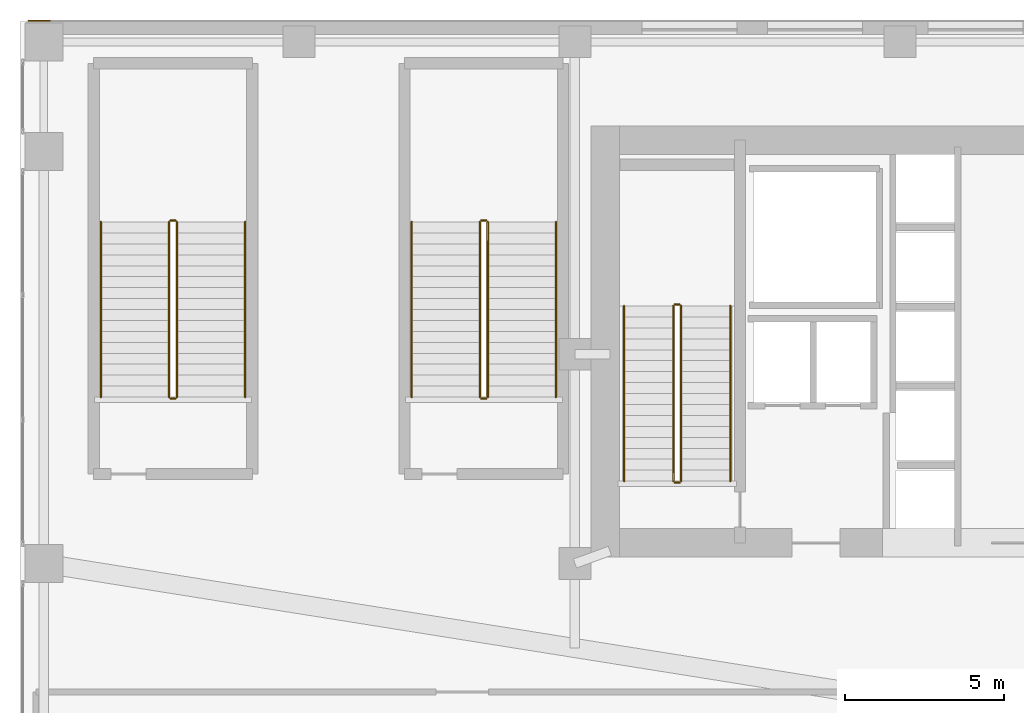
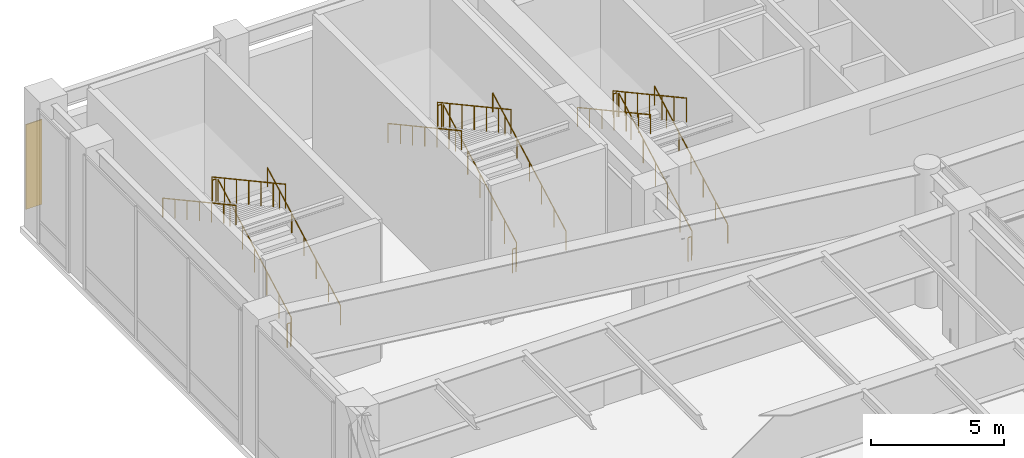
# One storey, part 47 of 50: 18 railings, 1 covering.
"""IFC4 building model written with IfcOpenShell, lengths in metres."""

from ifc_helpers import new_model, si_unit, direction, frame, origin, origin_2d, place, context, subcontext, project, spatial, polyline, circle, outline, extrude, material, layer, layer_set, type_object, element, save


model = new_model("IFC4")

# Units and contexts
model_context = context("Model", 3, precision=1e-05, world=origin(), true_north=direction((0.0, 1.0)))
body_context = subcontext(model_context, "Body", "Model", "MODEL_VIEW")
ifc_project = project(units=[si_unit("LENGTHUNIT", "METRE"), si_unit("AREAUNIT", "SQUARE_METRE"), si_unit("VOLUMEUNIT", "CUBIC_METRE"), si_unit("PLANEANGLEUNIT", "RADIAN"), si_unit("MASSUNIT", "GRAM", prefix="KILO")], contexts=[model_context])

# Site, building, storey
site_placement = place(None, origin())
site = spatial("IfcSite", under=ifc_project, at=site_placement, CompositionType="ELEMENT")
building_placement = place(site_placement, origin())
building = spatial("IfcBuilding", under=site, at=building_placement, Name="Tolvann Quenvar Hotel", CompositionType="ELEMENT")
storey_placement = place(building_placement, frame((0.0, 0.0, 16.0)))
storey = spatial("IfcBuildingStorey", under=building, at=storey_placement, Name="L03", CompositionType="ELEMENT", Elevation=16.0)

# Covering
ifc_material_1 = material(Name="Kiln-fired red architectural face brick cladding", Category="masonry")
ifc_layer = layer(ifc_material_1, 0.0400390625)
ifc_layer_set = layer_set([ifc_layer], Name="Kiln-fired red architectural face brick cladding")
covering_type = type_object("IfcCoveringType", Name="COV_CLAD_BRICK_40", PredefinedType="CLADDING", material=ifc_layer_set)
covering_placement = place(storey_placement, frame((0.0, 0.0, 0.699951171875)))
element("IfcCovering", 1, at=covering_placement, inside=storey, type_object=covering_type, Name="Brick Pier Cladding (L03-E06-P2)", PredefinedType="CLADDING", context=body_context, shape_type="SweptSolid", body=[
    extrude(outline(polyline([(-7.43994140625, 48.5), (-8.139892578125, 48.5), (-8.139892578125, 48.5400390625), (-7.43994140625, 48.5400390625), (-7.43994140625, 48.5)])), origin(), (0.0, 0.0, 1.0), 3.900146484375),
])

# Railings
ifc_material_2 = material(Name="Brushed 316 stainless steel balustrade and handrail", Category="steel")
railing_type_1 = type_object("IfcRailingType", Name="GUARDRAIL", PredefinedType="GUARDRAIL", material=ifc_material_2)
railing_1_placement = place(storey_placement, frame((12.449951171875, 34.0, 0.188232421875)))
element("IfcRailing", 2, at=railing_1_placement, inside=storey, type_object=railing_type_1, Name="L03 ST-C1 stair guard 1", PredefinedType="GUARDRAIL", context=body_context, shape_type="SweptSolid", body=[
    extrude(circle(Radius=0.02392578125, at=origin_2d()), frame((0.0, 0.0, 1.09619140625), z_axis=(0.0, 0.877842151624, 0.47895005672), x_axis=(-1.0, 0.0, 0.0)), (0.0, 0.0, 1.0), 6.2880859375),
    extrude(circle(Radius=0.02099609375, at=origin_2d()), origin(), (0.0, 0.0, 1.0), 1.072021484375),
    extrude(circle(Radius=0.02099609375, at=origin_2d()), frame((0.0, 0.919921875, 0.501953125)), (0.0, 0.0, 1.0), 1.072021484375),
    extrude(circle(Radius=0.02099609375, at=origin_2d()), frame((0.0, 1.840087890625, 1.00390625)), (0.0, 0.0, 1.0), 1.072021484375),
    extrude(circle(Radius=0.02099609375, at=origin_2d()), frame((0.0, 2.760009765625, 1.505859375)), (0.0, 0.0, 1.0), 1.072021484375),
    extrude(circle(Radius=0.02099609375, at=origin_2d()), frame((0.0, 3.679931640625, 2.0078125)), (0.0, 0.0, 1.0), 1.072021484375),
    extrude(circle(Radius=0.02099609375, at=origin_2d()), frame((0.0, 4.60009765625, 2.509765625)), (0.0, 0.0, 1.0), 1.072021484375),
    extrude(circle(Radius=0.02099609375, at=origin_2d()), frame((0.0, 5.52001953125, 3.01171875)), (0.0, 0.0, 1.0), 1.072021484375),
])
railing_2_placement = place(storey_placement, frame((12.39990234375, 39.570068359375, 3.199951171875)))
element("IfcRailing", 3, at=railing_2_placement, inside=storey, type_object=railing_type_1, Name="L03 ST-C1 stair guard 2", PredefinedType="GUARDRAIL", context=body_context, shape_type="SweptSolid", body=[
    extrude(circle(Radius=0.02392578125, at=origin_2d()), frame((0.0, 0.0, 1.09619140625), z_axis=(-1.0, 0.0, 0.0), x_axis=(0.0, -1.0, 0.0)), (0.0, 0.0, 1.0), 0.14990234375),
    extrude(circle(Radius=0.02099609375, at=origin_2d()), origin(), (0.0, 0.0, 1.0), 1.072021484375),
    extrude(circle(Radius=0.02099609375, at=origin_2d()), frame((-0.14990234375, 0.0, 0.0)), (0.0, 0.0, 1.0), 1.072021484375),
])
railing_3_placement = place(storey_placement, frame((12.199951171875, 39.52001953125, 3.38818359375)))
element("IfcRailing", 4, at=railing_3_placement, inside=storey, type_object=railing_type_1, Name="L03 ST-C1 stair guard 3", PredefinedType="GUARDRAIL", context=body_context, shape_type="SweptSolid", body=[
    extrude(circle(Radius=0.02392578125, at=origin_2d()), frame((0.0, 0.0, 1.09619140625), z_axis=(0.0, -0.877842151624, 0.47895005672), x_axis=(1.0, 0.0, 0.0)), (0.0, 0.0, 1.0), 6.2880859375),
    extrude(circle(Radius=0.02099609375, at=origin_2d()), origin(), (0.0, 0.0, 1.0), 1.072021484375),
    extrude(circle(Radius=0.02099609375, at=origin_2d()), frame((0.0, -0.919921875, 0.501953125)), (0.0, 0.0, 1.0), 1.072021484375),
    extrude(circle(Radius=0.02099609375, at=origin_2d()), frame((0.0, -1.840087890625, 1.00390625)), (0.0, 0.0, 1.0), 1.072021484375),
    extrude(circle(Radius=0.02099609375, at=origin_2d()), frame((0.0, -2.760009765625, 1.505859375)), (0.0, 0.0, 1.0), 1.072021484375),
    extrude(circle(Radius=0.02099609375, at=origin_2d()), frame((0.0, -3.679931640625, 2.0078125)), (0.0, 0.0, 1.0), 1.072021484375),
    extrude(circle(Radius=0.02099609375, at=origin_2d()), frame((0.0, -4.60009765625, 2.509765625)), (0.0, 0.0, 1.0), 1.072021484375),
    extrude(circle(Radius=0.02099609375, at=origin_2d()), frame((0.0, -5.52001953125, 3.01171875)), (0.0, 0.0, 1.0), 1.072021484375),
])
railing_4_placement = place(storey_placement, frame((12.39990234375, 33.949951171875, 0.0)))
element("IfcRailing", 5, at=railing_4_placement, inside=storey, type_object=railing_type_1, Name="L03 ST-C1 stair guard 4", PredefinedType="GUARDRAIL", context=body_context, shape_type="SweptSolid", body=[
    extrude(circle(Radius=0.02392578125, at=origin_2d()), frame((0.0, 0.0, 1.09619140625), z_axis=(-1.0, 0.0, 0.0), x_axis=(0.0, -1.0, 0.0)), (0.0, 0.0, 1.0), 0.14990234375),
    extrude(circle(Radius=0.02099609375, at=origin_2d()), origin(), (0.0, 0.0, 1.0), 1.072021484375),
    extrude(circle(Radius=0.02099609375, at=origin_2d()), frame((-0.14990234375, 0.0, 0.0)), (0.0, 0.0, 1.0), 1.072021484375),
])
railing_5_placement = place(storey_placement, frame((-3.449951171875, 36.64990234375, 0.188232421875)))
element("IfcRailing", 6, at=railing_5_placement, inside=storey, type_object=railing_type_1, Name="L03 ST-P1 stair guard 1", PredefinedType="GUARDRAIL", context=body_context, shape_type="SweptSolid", body=[
    extrude(circle(Radius=0.02392578125, at=origin_2d()), frame((0.0, 0.0, 1.09619140625), z_axis=(0.0, 0.877842151624, 0.47895005672), x_axis=(-1.0, 0.0, 0.0)), (0.0, 0.0, 1.0), 6.2880859375),
    extrude(circle(Radius=0.02099609375, at=origin_2d()), origin(), (0.0, 0.0, 1.0), 1.072021484375),
    extrude(circle(Radius=0.02099609375, at=origin_2d()), frame((0.0, 0.919921875, 0.501953125)), (0.0, 0.0, 1.0), 1.072021484375),
    extrude(circle(Radius=0.02099609375, at=origin_2d()), frame((0.0, 1.840087890625, 1.00390625)), (0.0, 0.0, 1.0), 1.072021484375),
    extrude(circle(Radius=0.02099609375, at=origin_2d()), frame((0.0, 2.760009765625, 1.505859375)), (0.0, 0.0, 1.0), 1.072021484375),
    extrude(circle(Radius=0.02099609375, at=origin_2d()), frame((0.0, 3.679931640625, 2.0078125)), (0.0, 0.0, 1.0), 1.072021484375),
    extrude(circle(Radius=0.02099609375, at=origin_2d()), frame((0.0, 4.60009765625, 2.509765625)), (0.0, 0.0, 1.0), 1.072021484375),
    extrude(circle(Radius=0.02099609375, at=origin_2d()), frame((0.0, 5.52001953125, 3.01171875)), (0.0, 0.0, 1.0), 1.072021484375),
])
railing_6_placement = place(storey_placement, frame((-3.5, 42.219970703125, 3.199951171875)))
element("IfcRailing", 7, at=railing_6_placement, inside=storey, type_object=railing_type_1, Name="L03 ST-P1 stair guard 2", PredefinedType="GUARDRAIL", context=body_context, shape_type="SweptSolid", body=[
    extrude(circle(Radius=0.02392578125, at=origin_2d()), frame((0.0, 0.0, 1.09619140625), z_axis=(-1.0, 0.0, 0.0), x_axis=(0.0, -1.0, 0.0)), (0.0, 0.0, 1.0), 0.14990234375),
    extrude(circle(Radius=0.02099609375, at=origin_2d()), origin(), (0.0, 0.0, 1.0), 1.072021484375),
    extrude(circle(Radius=0.02099609375, at=origin_2d()), frame((-0.14990234375, 0.0, 0.0)), (0.0, 0.0, 1.0), 1.072021484375),
])
railing_7_placement = place(storey_placement, frame((-3.699951171875, 42.169921875, 3.38818359375)))
element("IfcRailing", 8, at=railing_7_placement, inside=storey, type_object=railing_type_1, Name="L03 ST-P1 stair guard 3", PredefinedType="GUARDRAIL", context=body_context, shape_type="SweptSolid", body=[
    extrude(circle(Radius=0.02392578125, at=origin_2d()), frame((0.0, 0.0, 1.09619140625), z_axis=(0.0, -0.877842151624, 0.47895005672), x_axis=(1.0, 0.0, 0.0)), (0.0, 0.0, 1.0), 6.2880859375),
    extrude(circle(Radius=0.02099609375, at=origin_2d()), origin(), (0.0, 0.0, 1.0), 1.072021484375),
    extrude(circle(Radius=0.02099609375, at=origin_2d()), frame((0.0, -0.919921875, 0.501953125)), (0.0, 0.0, 1.0), 1.072021484375),
    extrude(circle(Radius=0.02099609375, at=origin_2d()), frame((0.0, -1.840087890625, 1.00390625)), (0.0, 0.0, 1.0), 1.072021484375),
    extrude(circle(Radius=0.02099609375, at=origin_2d()), frame((0.0, -2.760009765625, 1.505859375)), (0.0, 0.0, 1.0), 1.072021484375),
    extrude(circle(Radius=0.02099609375, at=origin_2d()), frame((0.0, -3.679931640625, 2.0078125)), (0.0, 0.0, 1.0), 1.072021484375),
    extrude(circle(Radius=0.02099609375, at=origin_2d()), frame((0.0, -4.60009765625, 2.509765625)), (0.0, 0.0, 1.0), 1.072021484375),
    extrude(circle(Radius=0.02099609375, at=origin_2d()), frame((0.0, -5.52001953125, 3.01171875)), (0.0, 0.0, 1.0), 1.072021484375),
])
railing_8_placement = place(storey_placement, frame((-3.5, 36.60009765625, 0.0)))
element("IfcRailing", 9, at=railing_8_placement, inside=storey, type_object=railing_type_1, Name="L03 ST-P1 stair guard 4", PredefinedType="GUARDRAIL", context=body_context, shape_type="SweptSolid", body=[
    extrude(circle(Radius=0.02392578125, at=origin_2d()), frame((0.0, 0.0, 1.09619140625), z_axis=(-1.0, 0.0, 0.0), x_axis=(0.0, -1.0, 0.0)), (0.0, 0.0, 1.0), 0.14990234375),
    extrude(circle(Radius=0.02099609375, at=origin_2d()), origin(), (0.0, 0.0, 1.0), 1.072021484375),
    extrude(circle(Radius=0.02099609375, at=origin_2d()), frame((-0.14990234375, 0.0, 0.0)), (0.0, 0.0, 1.0), 1.072021484375),
])
railing_9_placement = place(storey_placement, frame((6.35009765625, 36.64990234375, 0.188232421875)))
element("IfcRailing", 10, at=railing_9_placement, inside=storey, type_object=railing_type_1, Name="L03 ST-P2 stair guard 1", PredefinedType="GUARDRAIL", context=body_context, shape_type="SweptSolid", body=[
    extrude(circle(Radius=0.02392578125, at=origin_2d()), frame((0.0, 0.0, 1.09619140625), z_axis=(0.0, 0.877842151624, 0.47895005672), x_axis=(-1.0, 0.0, 0.0)), (0.0, 0.0, 1.0), 6.2880859375),
    extrude(circle(Radius=0.02099609375, at=origin_2d()), origin(), (0.0, 0.0, 1.0), 1.072021484375),
    extrude(circle(Radius=0.02099609375, at=origin_2d()), frame((0.0, 0.919921875, 0.501953125)), (0.0, 0.0, 1.0), 1.072021484375),
    extrude(circle(Radius=0.02099609375, at=origin_2d()), frame((0.0, 1.840087890625, 1.00390625)), (0.0, 0.0, 1.0), 1.072021484375),
    extrude(circle(Radius=0.02099609375, at=origin_2d()), frame((0.0, 2.760009765625, 1.505859375)), (0.0, 0.0, 1.0), 1.072021484375),
    extrude(circle(Radius=0.02099609375, at=origin_2d()), frame((0.0, 3.679931640625, 2.0078125)), (0.0, 0.0, 1.0), 1.072021484375),
    extrude(circle(Radius=0.02099609375, at=origin_2d()), frame((0.0, 4.60009765625, 2.509765625)), (0.0, 0.0, 1.0), 1.072021484375),
    extrude(circle(Radius=0.02099609375, at=origin_2d()), frame((0.0, 5.52001953125, 3.01171875)), (0.0, 0.0, 1.0), 1.072021484375),
])
railing_10_placement = place(storey_placement, frame((6.300048828125, 42.219970703125, 3.199951171875)))
element("IfcRailing", 11, at=railing_10_placement, inside=storey, type_object=railing_type_1, Name="L03 ST-P2 stair guard 2", PredefinedType="GUARDRAIL", context=body_context, shape_type="SweptSolid", body=[
    extrude(circle(Radius=0.02392578125, at=origin_2d()), frame((0.0, 0.0, 1.09619140625), z_axis=(-1.0, 0.0, 0.0), x_axis=(0.0, -1.0, 0.0)), (0.0, 0.0, 1.0), 0.150146484375),
    extrude(circle(Radius=0.02099609375, at=origin_2d()), origin(), (0.0, 0.0, 1.0), 1.072021484375),
    extrude(circle(Radius=0.02099609375, at=origin_2d()), frame((-0.150146484375, 0.0, 0.0)), (0.0, 0.0, 1.0), 1.072021484375),
])
railing_11_placement = place(storey_placement, frame((6.10009765625, 42.169921875, 3.38818359375)))
element("IfcRailing", 12, at=railing_11_placement, inside=storey, type_object=railing_type_1, Name="L03 ST-P2 stair guard 3", PredefinedType="GUARDRAIL", context=body_context, shape_type="SweptSolid", body=[
    extrude(circle(Radius=0.02392578125, at=origin_2d()), frame((0.0, 0.0, 1.09619140625), z_axis=(0.0, -0.877842151624, 0.47895005672), x_axis=(1.0, 0.0, 0.0)), (0.0, 0.0, 1.0), 6.2880859375),
    extrude(circle(Radius=0.02099609375, at=origin_2d()), origin(), (0.0, 0.0, 1.0), 1.072021484375),
    extrude(circle(Radius=0.02099609375, at=origin_2d()), frame((0.0, -0.919921875, 0.501953125)), (0.0, 0.0, 1.0), 1.072021484375),
    extrude(circle(Radius=0.02099609375, at=origin_2d()), frame((0.0, -1.840087890625, 1.00390625)), (0.0, 0.0, 1.0), 1.072021484375),
    extrude(circle(Radius=0.02099609375, at=origin_2d()), frame((0.0, -2.760009765625, 1.505859375)), (0.0, 0.0, 1.0), 1.072021484375),
    extrude(circle(Radius=0.02099609375, at=origin_2d()), frame((0.0, -3.679931640625, 2.0078125)), (0.0, 0.0, 1.0), 1.072021484375),
    extrude(circle(Radius=0.02099609375, at=origin_2d()), frame((0.0, -4.60009765625, 2.509765625)), (0.0, 0.0, 1.0), 1.072021484375),
    extrude(circle(Radius=0.02099609375, at=origin_2d()), frame((0.0, -5.52001953125, 3.01171875)), (0.0, 0.0, 1.0), 1.072021484375),
])
railing_12_placement = place(storey_placement, frame((6.300048828125, 36.60009765625, 0.0)))
element("IfcRailing", 13, at=railing_12_placement, inside=storey, type_object=railing_type_1, Name="L03 ST-P2 stair guard 4", PredefinedType="GUARDRAIL", context=body_context, shape_type="SweptSolid", body=[
    extrude(circle(Radius=0.02392578125, at=origin_2d()), frame((0.0, 0.0, 1.09619140625), z_axis=(-1.0, 0.0, 0.0), x_axis=(0.0, -1.0, 0.0)), (0.0, 0.0, 1.0), 0.150146484375),
    extrude(circle(Radius=0.02099609375, at=origin_2d()), origin(), (0.0, 0.0, 1.0), 1.072021484375),
    extrude(circle(Radius=0.02099609375, at=origin_2d()), frame((-0.150146484375, 0.0, 0.0)), (0.0, 0.0, 1.0), 1.072021484375),
])
railing_type_2 = type_object("IfcRailingType", Name="HANDRAIL", PredefinedType="HANDRAIL", material=ifc_material_2)
railing_13_placement = place(storey_placement, frame((14.0, 34.0, 0.188232421875)))
element("IfcRailing", 14, at=railing_13_placement, inside=storey, type_object=railing_type_2, Name="L03 ST-C1 stair handrail 1", PredefinedType="HANDRAIL", context=body_context, shape_type="SweptSolid", body=[
    extrude(circle(Radius=0.02392578125, at=origin_2d()), frame((0.0, 0.0, 0.8759765625), z_axis=(0.0, 0.877842151624, 0.47895005672), x_axis=(-1.0, 0.0, 0.0)), (0.0, 0.0, 1.0), 6.2880859375),
    extrude(circle(Radius=0.02099609375, at=origin_2d()), origin(), (0.0, 0.0, 1.0), 0.851806640625),
    extrude(circle(Radius=0.02099609375, at=origin_2d()), frame((0.0, 0.919921875, 0.501953125)), (0.0, 0.0, 1.0), 0.851806640625),
    extrude(circle(Radius=0.02099609375, at=origin_2d()), frame((0.0, 1.840087890625, 1.00390625)), (0.0, 0.0, 1.0), 0.851806640625),
    extrude(circle(Radius=0.02099609375, at=origin_2d()), frame((0.0, 2.760009765625, 1.505859375)), (0.0, 0.0, 1.0), 0.851806640625),
    extrude(circle(Radius=0.02099609375, at=origin_2d()), frame((0.0, 3.679931640625, 2.0078125)), (0.0, 0.0, 1.0), 0.851806640625),
    extrude(circle(Radius=0.02099609375, at=origin_2d()), frame((0.0, 4.60009765625, 2.509765625)), (0.0, 0.0, 1.0), 0.851806640625),
    extrude(circle(Radius=0.02099609375, at=origin_2d()), frame((0.0, 5.52001953125, 3.01171875)), (0.0, 0.0, 1.0), 0.851806640625),
])
railing_14_placement = place(storey_placement, frame((10.64990234375, 39.52001953125, 3.38818359375)))
element("IfcRailing", 15, at=railing_14_placement, inside=storey, type_object=railing_type_2, Name="L03 ST-C1 stair handrail 2", PredefinedType="HANDRAIL", context=body_context, shape_type="SweptSolid", body=[
    extrude(circle(Radius=0.02392578125, at=origin_2d()), frame((0.0, 0.0, 0.8759765625), z_axis=(0.0, -0.877842151624, 0.47895005672), x_axis=(1.0, 0.0, 0.0)), (0.0, 0.0, 1.0), 6.2880859375),
    extrude(circle(Radius=0.02099609375, at=origin_2d()), origin(), (0.0, 0.0, 1.0), 0.851806640625),
    extrude(circle(Radius=0.02099609375, at=origin_2d()), frame((0.0, -0.919921875, 0.501953125)), (0.0, 0.0, 1.0), 0.851806640625),
    extrude(circle(Radius=0.02099609375, at=origin_2d()), frame((0.0, -1.840087890625, 1.00390625)), (0.0, 0.0, 1.0), 0.851806640625),
    extrude(circle(Radius=0.02099609375, at=origin_2d()), frame((0.0, -2.760009765625, 1.505859375)), (0.0, 0.0, 1.0), 0.851806640625),
    extrude(circle(Radius=0.02099609375, at=origin_2d()), frame((0.0, -3.679931640625, 2.0078125)), (0.0, 0.0, 1.0), 0.851806640625),
    extrude(circle(Radius=0.02099609375, at=origin_2d()), frame((0.0, -4.60009765625, 2.509765625)), (0.0, 0.0, 1.0), 0.851806640625),
    extrude(circle(Radius=0.02099609375, at=origin_2d()), frame((0.0, -5.52001953125, 3.01171875)), (0.0, 0.0, 1.0), 0.851806640625),
])
railing_15_placement = place(storey_placement, frame((-1.300048828125, 36.64990234375, 0.188232421875)))
element("IfcRailing", 16, at=railing_15_placement, inside=storey, type_object=railing_type_2, Name="L03 ST-P1 stair handrail 1", PredefinedType="HANDRAIL", context=body_context, shape_type="SweptSolid", body=[
    extrude(circle(Radius=0.02392578125, at=origin_2d()), frame((0.0, 0.0, 0.8759765625), z_axis=(0.0, 0.877842151624, 0.47895005672), x_axis=(-1.0, 0.0, 0.0)), (0.0, 0.0, 1.0), 6.2880859375),
    extrude(circle(Radius=0.02099609375, at=origin_2d()), origin(), (0.0, 0.0, 1.0), 0.851806640625),
    extrude(circle(Radius=0.02099609375, at=origin_2d()), frame((0.0, 0.919921875, 0.501953125)), (0.0, 0.0, 1.0), 0.851806640625),
    extrude(circle(Radius=0.02099609375, at=origin_2d()), frame((0.0, 1.840087890625, 1.00390625)), (0.0, 0.0, 1.0), 0.851806640625),
    extrude(circle(Radius=0.02099609375, at=origin_2d()), frame((0.0, 2.760009765625, 1.505859375)), (0.0, 0.0, 1.0), 0.851806640625),
    extrude(circle(Radius=0.02099609375, at=origin_2d()), frame((0.0, 3.679931640625, 2.0078125)), (0.0, 0.0, 1.0), 0.851806640625),
    extrude(circle(Radius=0.02099609375, at=origin_2d()), frame((0.0, 4.60009765625, 2.509765625)), (0.0, 0.0, 1.0), 0.851806640625),
    extrude(circle(Radius=0.02099609375, at=origin_2d()), frame((0.0, 5.52001953125, 3.01171875)), (0.0, 0.0, 1.0), 0.851806640625),
])
railing_16_placement = place(storey_placement, frame((-5.85009765625, 42.169921875, 3.38818359375)))
element("IfcRailing", 17, at=railing_16_placement, inside=storey, type_object=railing_type_2, Name="L03 ST-P1 stair handrail 2", PredefinedType="HANDRAIL", context=body_context, shape_type="SweptSolid", body=[
    extrude(circle(Radius=0.02392578125, at=origin_2d()), frame((0.0, 0.0, 0.8759765625), z_axis=(0.0, -0.877842151624, 0.47895005672), x_axis=(1.0, 0.0, 0.0)), (0.0, 0.0, 1.0), 6.2880859375),
    extrude(circle(Radius=0.02099609375, at=origin_2d()), origin(), (0.0, 0.0, 1.0), 0.851806640625),
    extrude(circle(Radius=0.02099609375, at=origin_2d()), frame((0.0, -0.919921875, 0.501953125)), (0.0, 0.0, 1.0), 0.851806640625),
    extrude(circle(Radius=0.02099609375, at=origin_2d()), frame((0.0, -1.840087890625, 1.00390625)), (0.0, 0.0, 1.0), 0.851806640625),
    extrude(circle(Radius=0.02099609375, at=origin_2d()), frame((0.0, -2.760009765625, 1.505859375)), (0.0, 0.0, 1.0), 0.851806640625),
    extrude(circle(Radius=0.02099609375, at=origin_2d()), frame((0.0, -3.679931640625, 2.0078125)), (0.0, 0.0, 1.0), 0.851806640625),
    extrude(circle(Radius=0.02099609375, at=origin_2d()), frame((0.0, -4.60009765625, 2.509765625)), (0.0, 0.0, 1.0), 0.851806640625),
    extrude(circle(Radius=0.02099609375, at=origin_2d()), frame((0.0, -5.52001953125, 3.01171875)), (0.0, 0.0, 1.0), 0.851806640625),
])
railing_17_placement = place(storey_placement, frame((8.5, 36.64990234375, 0.188232421875)))
element("IfcRailing", 18, at=railing_17_placement, inside=storey, type_object=railing_type_2, Name="L03 ST-P2 stair handrail 1", PredefinedType="HANDRAIL", context=body_context, shape_type="SweptSolid", body=[
    extrude(circle(Radius=0.02392578125, at=origin_2d()), frame((0.0, 0.0, 0.8759765625), z_axis=(0.0, 0.877842151624, 0.47895005672), x_axis=(-1.0, 0.0, 0.0)), (0.0, 0.0, 1.0), 6.2880859375),
    extrude(circle(Radius=0.02099609375, at=origin_2d()), origin(), (0.0, 0.0, 1.0), 0.851806640625),
    extrude(circle(Radius=0.02099609375, at=origin_2d()), frame((0.0, 0.919921875, 0.501953125)), (0.0, 0.0, 1.0), 0.851806640625),
    extrude(circle(Radius=0.02099609375, at=origin_2d()), frame((0.0, 1.840087890625, 1.00390625)), (0.0, 0.0, 1.0), 0.851806640625),
    extrude(circle(Radius=0.02099609375, at=origin_2d()), frame((0.0, 2.760009765625, 1.505859375)), (0.0, 0.0, 1.0), 0.851806640625),
    extrude(circle(Radius=0.02099609375, at=origin_2d()), frame((0.0, 3.679931640625, 2.0078125)), (0.0, 0.0, 1.0), 0.851806640625),
    extrude(circle(Radius=0.02099609375, at=origin_2d()), frame((0.0, 4.60009765625, 2.509765625)), (0.0, 0.0, 1.0), 0.851806640625),
    extrude(circle(Radius=0.02099609375, at=origin_2d()), frame((0.0, 5.52001953125, 3.01171875)), (0.0, 0.0, 1.0), 0.851806640625),
])
railing_18_placement = place(storey_placement, frame((3.949951171875, 42.169921875, 3.38818359375)))
element("IfcRailing", 19, at=railing_18_placement, inside=storey, type_object=railing_type_2, Name="L03 ST-P2 stair handrail 2", PredefinedType="HANDRAIL", context=body_context, shape_type="SweptSolid", body=[
    extrude(circle(Radius=0.02392578125, at=origin_2d()), frame((0.0, 0.0, 0.8759765625), z_axis=(0.0, -0.877842151624, 0.47895005672), x_axis=(1.0, 0.0, 0.0)), (0.0, 0.0, 1.0), 6.2880859375),
    extrude(circle(Radius=0.02099609375, at=origin_2d()), origin(), (0.0, 0.0, 1.0), 0.851806640625),
    extrude(circle(Radius=0.02099609375, at=origin_2d()), frame((0.0, -0.919921875, 0.501953125)), (0.0, 0.0, 1.0), 0.851806640625),
    extrude(circle(Radius=0.02099609375, at=origin_2d()), frame((0.0, -1.840087890625, 1.00390625)), (0.0, 0.0, 1.0), 0.851806640625),
    extrude(circle(Radius=0.02099609375, at=origin_2d()), frame((0.0, -2.760009765625, 1.505859375)), (0.0, 0.0, 1.0), 0.851806640625),
    extrude(circle(Radius=0.02099609375, at=origin_2d()), frame((0.0, -3.679931640625, 2.0078125)), (0.0, 0.0, 1.0), 0.851806640625),
    extrude(circle(Radius=0.02099609375, at=origin_2d()), frame((0.0, -4.60009765625, 2.509765625)), (0.0, 0.0, 1.0), 0.851806640625),
    extrude(circle(Radius=0.02099609375, at=origin_2d()), frame((0.0, -5.52001953125, 3.01171875)), (0.0, 0.0, 1.0), 0.851806640625),
])

save(model, "model.ifc")
